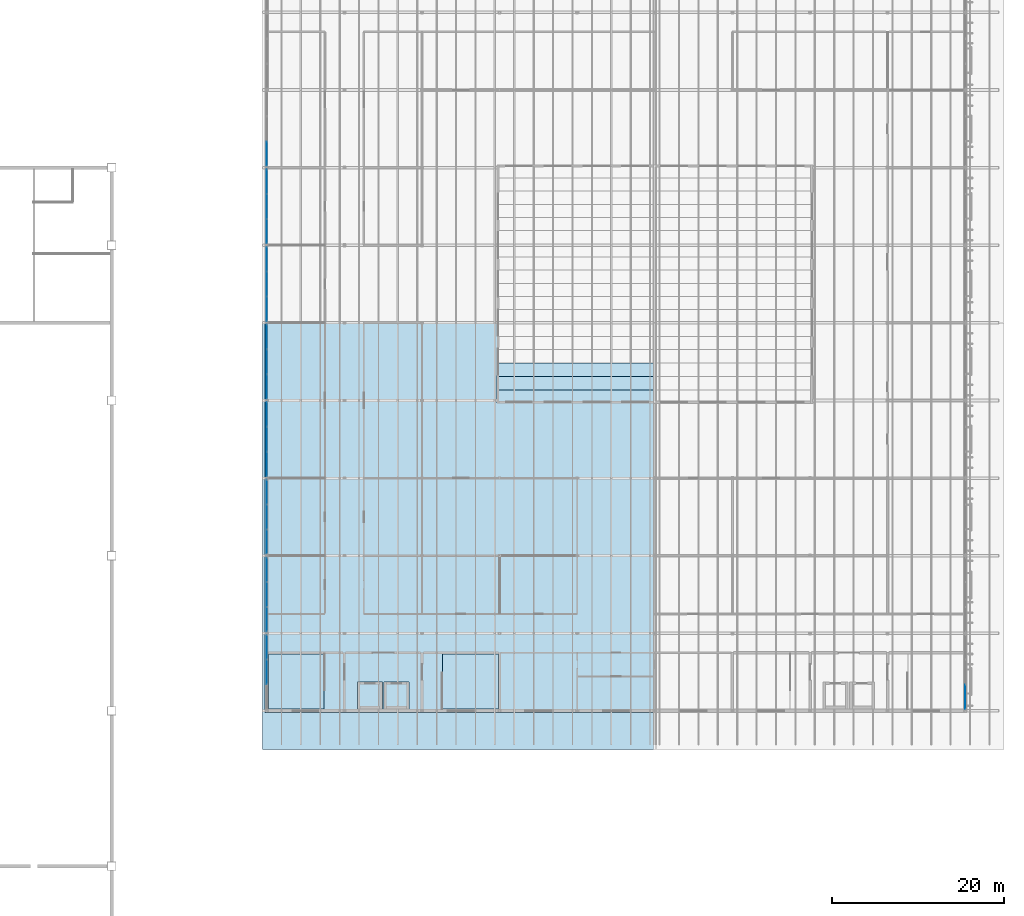
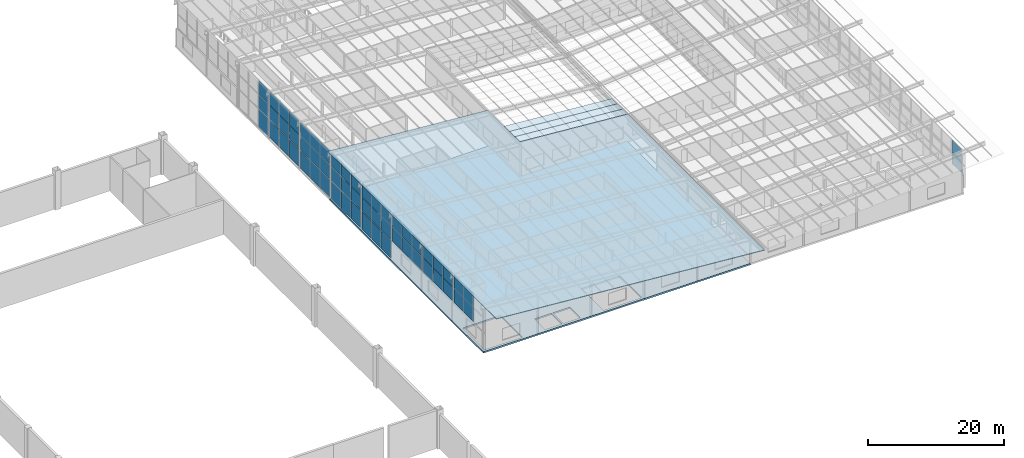
# One storey, part 66 of 85: 57 plates, 5 slabs, 14 elements without a shape of their own.
"""IFC4 building model written with IfcOpenShell, lengths in metres."""

import ifcopenshell
import ifcopenshell.guid

model = None  # the IFC model being written
_history = None  # IfcOwnerHistory: only IFC2X3 demands one
_inside = {}  # id of a spatial element -> (the spatial element, [elements in it])
_under = {}  # id of a project, library or spatial element -> (it, [spatial elements below it])
_declared = {}  # id of a project -> (the project, [libraries it declares])
_typed = {}  # id of a type object -> (the type object, [elements of that type])
_made_of = {}  # id of a material, layer set ... -> (it, [elements and type objects made of it])


def new_model(schema):
    """Start an empty IFC model of exactly this schema.

    Asked for "IFC4X3", IfcOpenShell would pick the latest addendum, in which some entities
    have other attributes; the version numbers below select the first issue.
    IFC2X3 requires an IfcOwnerHistory on every rooted entity: one is made here for all.
    """
    global model, _history
    if schema == "IFC4X3":
        model = ifcopenshell.file(schema_version=(4, 3, 0, 0))
    else:
        model = ifcopenshell.file(schema=schema)
    _inside.clear()
    _under.clear()
    _declared.clear()
    _typed.clear()
    _made_of.clear()
    _history = None
    if model.schema == "IFC2X3":
        org = make("IfcOrganization", Name="unknown")
        user = make(
            "IfcPersonAndOrganization",
            ThePerson=make("IfcPerson", FamilyName="unknown"),
            TheOrganization=org,
        )
        app = make(
            "IfcApplication",
            ApplicationDeveloper=org,
            Version="unknown",
            ApplicationFullName="unknown",
            ApplicationIdentifier="unknown",
        )
        _history = make(
            "IfcOwnerHistory",
            OwningUser=user,
            OwningApplication=app,
            ChangeAction="ADDED",
            CreationDate=0,
        )
    return model


def make(cls, **values):
    """One entity of the class cls with the attributes given. An attribute that is None is left unset."""
    return model.create_entity(
        cls, **{name: value for name, value in values.items() if value is not None}
    )


def rooted(cls, **values):
    """An entity with a GlobalId (a new one), such as an element, a storey or a relation."""
    return make(cls, GlobalId=ifcopenshell.guid.new(), OwnerHistory=_history, **values)


def si_unit(unit_type, name, prefix=None):
    """IfcSIUnit, for example si_unit("LENGTHUNIT", "METRE", prefix="MILLI")."""
    return make("IfcSIUnit", UnitType=unit_type, Prefix=prefix, Name=name)


def assignment(units):
    """IfcUnitAssignment: the units of a project."""
    return None if units is None else make("IfcUnitAssignment", Units=units)


def point(xyz):
    """IfcCartesianPoint."""
    return None if xyz is None else make("IfcCartesianPoint", Coordinates=xyz)


def direction(xyz):
    """IfcDirection."""
    return None if xyz is None else make("IfcDirection", DirectionRatios=xyz)


def frame(location, z_axis=None, x_axis=None):
    """IfcAxis2Placement3D, a coordinate frame: its origin and axes. An axis left out is left unset."""
    return make(
        "IfcAxis2Placement3D",
        Location=point(location),
        Axis=direction(z_axis),
        RefDirection=direction(x_axis),
    )


def frame_2d(location, x_axis=None):
    """IfcAxis2Placement2D, a coordinate frame in the plane: its origin and x axis."""
    return make(
        "IfcAxis2Placement2D", Location=point(location), RefDirection=direction(x_axis)
    )


def origin():
    """The frame at (0, 0, 0) with its axes left unset."""
    return frame((0.0, 0.0, 0.0))


def origin_2d():
    """The frame at (0, 0) in the plane with its x axis left unset."""
    return frame_2d((0.0, 0.0))


def place(relative_to, where):
    """IfcLocalPlacement: puts the frame where relative to a parent placement (None: the world)."""
    return make(
        "IfcLocalPlacement", PlacementRelTo=relative_to, RelativePlacement=where
    )


def context(
    kind, dimensions, precision=None, world=None, true_north=None, identifier=None
):
    """IfcGeometricRepresentationContext, for example the 3D "Model" context."""
    return make(
        "IfcGeometricRepresentationContext",
        ContextIdentifier=identifier,
        ContextType=kind,
        CoordinateSpaceDimension=dimensions,
        Precision=precision,
        WorldCoordinateSystem=world,
        TrueNorth=true_north,
    )


def subcontext(parent, identifier, kind, view, scale=None):
    """IfcGeometricRepresentationSubContext, for example "Body" below "Model"."""
    return make(
        "IfcGeometricRepresentationSubContext",
        ContextIdentifier=identifier,
        ContextType=kind,
        ParentContext=parent,
        TargetScale=scale,
        TargetView=view,
    )


def project(units=None, contexts=None):
    """IfcProject with its units and contexts."""
    return rooted(
        "IfcProject",
        Name="project",
        RepresentationContexts=contexts,
        UnitsInContext=assignment(units),
    )


def spatial(cls, under=None, at=None, **own):
    """A site, building, storey or space (cls), placed at a placement, below another one or the project."""
    s = rooted(cls, ObjectPlacement=at, **own)
    if under is not None:
        _under.setdefault(under.id(), (under, []))[1].append(s)
    return s


def polyline(points):
    """IfcPolyline through the points."""
    return make("IfcPolyline", Points=[point(p) for p in points])


def profile(cls, at=None, kind="AREA", **sizes):
    """A parametric profile (cls). Its sizes go by their IFC names, for example OverallWidth=200.0."""
    return make(cls, ProfileType=kind, Position=at, **sizes)


def rectangle(**sizes):
    """IfcRectangleProfileDef."""
    return profile("IfcRectangleProfileDef", **sizes)


def outline(outer, holes=None, kind="AREA"):
    """IfcArbitraryClosedProfileDef: a profile drawn as a closed curve; with holes, ...WithVoids."""
    if holes is None:
        return make("IfcArbitraryClosedProfileDef", ProfileType=kind, OuterCurve=outer)
    return make(
        "IfcArbitraryProfileDefWithVoids",
        ProfileType=kind,
        OuterCurve=outer,
        InnerCurves=holes,
    )


def extrude(swept, where, along, depth):
    """IfcExtrudedAreaSolid: the profile swept, set in the frame where, extruded along a direction by depth."""
    return make(
        "IfcExtrudedAreaSolid",
        SweptArea=swept,
        Position=where,
        ExtrudedDirection=direction(along),
        Depth=depth,
    )


def shape(context_of_items, identifier, shape_type, items):
    """IfcShapeRepresentation: the items that make up one representation, for example the "Body"."""
    return make(
        "IfcShapeRepresentation",
        ContextOfItems=context_of_items,
        RepresentationIdentifier=identifier,
        RepresentationType=shape_type,
        Items=items,
    )


def material(Name=None, Category=None):
    """IfcMaterial."""
    return make("IfcMaterial", Name=Name, Category=Category)


def layer(
    of_material, thickness, ventilated=None, Name=None, Category=None, Priority=None
):
    """IfcMaterialLayer: one layer of a wall or slab, of a material (None: an air gap)."""
    return make(
        "IfcMaterialLayer",
        Material=of_material,
        LayerThickness=thickness,
        IsVentilated=ventilated,
        Name=Name,
        Category=Category,
        Priority=Priority,
    )


def layer_set(layers, Name=None):
    """IfcMaterialLayerSet."""
    return make("IfcMaterialLayerSet", MaterialLayers=layers, LayerSetName=Name)


def made_of(thing, what):
    """Note that an element or type object is made of a material, layer set ...; save() writes the relation."""
    if what is not None:
        _made_of.setdefault(what.id(), (what, []))[1].append(thing)
    return thing


def type_object(cls, material=None, **own):
    """A type object (cls), such as IfcWallType, which elements share."""
    return made_of(rooted(cls, **own), material)


def element(
    cls,
    number,
    at=None,
    inside=None,
    cuts=None,
    type_object=None,
    material=None,
    context=None,
    identifier="Body",
    shape_type=None,
    held_by="IfcProductDefinitionShape",
    body=None,
    shapes=None,
    **own,
):
    """One element of the class cls, such as IfcWall. Its Tag is "e" and its number.

    at: its placement. inside: the storey or other place that contains it. cuts: it is an
    opening in that element (IfcRelVoidsElement). A single representation is given by context,
    identifier, shape_type and body (its items); several are given by shapes. held_by: the class
    of the entity that holds the representations. save() writes the other relations.
    """
    e = rooted(cls, Tag="e%d" % number, ObjectPlacement=at, **own)
    if body is not None:
        shapes = [shape(context, identifier, shape_type, body)]
    if shapes is not None:
        e.Representation = make(held_by, Representations=shapes)
    if inside is not None:
        _inside.setdefault(inside.id(), (inside, []))[1].append(e)
    if cuts is not None:
        rooted(
            "IfcRelVoidsElement", RelatingBuildingElement=cuts, RelatedOpeningElement=e
        )
    if type_object is not None:
        _typed.setdefault(type_object.id(), (type_object, []))[1].append(e)
    return made_of(e, material)


def aggregate(whole, parts):
    """IfcRelAggregates: a whole, such as a stair, and the parts it consists of."""
    return rooted("IfcRelAggregates", RelatingObject=whole, RelatedObjects=parts)


def save(model, path):
    """Write the relations noted so far, then the file.

    IfcRelAggregates (storeys below a building ...), IfcRelContainedInSpatialStructure (elements
    in a storey), IfcRelDefinesByType, IfcRelAssociatesMaterial and IfcRelDeclares: one each for
    every whole, place, type object, material and project.
    """
    for whole, parts in _under.values():
        aggregate(whole, parts)
    for where, things in _inside.values():
        rooted(
            "IfcRelContainedInSpatialStructure",
            RelatedElements=things,
            RelatingStructure=where,
        )
    for kind, things in _typed.values():
        rooted("IfcRelDefinesByType", RelatedObjects=things, RelatingType=kind)
    for what, things in _made_of.values():
        rooted("IfcRelAssociatesMaterial", RelatedObjects=things, RelatingMaterial=what)
    for by, libraries in _declared.values():
        rooted("IfcRelDeclares", RelatingContext=by, RelatedDefinitions=libraries)
    model.write(path)


model = new_model("IFC4")

# Units and contexts
model_context = context("Model", 3, precision=1e-05, world=origin(), true_north=direction((0.0, 1.0)))
body_context = subcontext(model_context, "Body", "Model", "MODEL_VIEW")
ifc_project = project(units=[si_unit("LENGTHUNIT", "METRE"), si_unit("AREAUNIT", "SQUARE_METRE"), si_unit("VOLUMEUNIT", "CUBIC_METRE"), si_unit("PLANEANGLEUNIT", "RADIAN"), si_unit("MASSUNIT", "GRAM", prefix="KILO")], contexts=[model_context])

# Site, building, storey
site_placement = place(None, origin())
site = spatial("IfcSite", under=ifc_project, at=site_placement, CompositionType="ELEMENT")
building_placement = place(site_placement, origin())
building = spatial("IfcBuilding", under=site, at=building_placement, Name="Opaline Strait Convention Centre", CompositionType="ELEMENT")
storey_placement = place(building_placement, frame((0.0, 0.0, 17.0)))
storey = spatial("IfcBuildingStorey", under=building, at=storey_placement, Name="L03", CompositionType="ELEMENT", Elevation=17.0)

# Curtain wall, plates
ifc_material_1 = material(Name="Aluminium framed double glazing", Category="aluminium")
ifc_layer_1 = layer(ifc_material_1, 0.199951171875)
ifc_layer_set_1 = layer_set([ifc_layer_1], Name="Aluminium framed double glazing")
curtain_wall_type = type_object("IfcCurtainWallType", Name="Curtain wall 3000 module unitised", PredefinedType="NOTDEFINED", material=ifc_layer_set_1)
curtain_wall_1_placement = place(storey_placement, origin())
curtain_wall_1 = element("IfcCurtainWall", 1, at=curtain_wall_1_placement, inside=storey, type_object=curtain_wall_type, Name="Curtain wall W L03 32/P", PredefinedType="NOTDEFINED")
ifc_material_2 = material(Name="Double glazed unit low emissivity", Category="glass")
ifc_layer_2 = layer(ifc_material_2, 0.028076171875)
ifc_layer_set_2 = layer_set([ifc_layer_2], Name="Double glazed unit low emissivity")
plate_type = type_object("IfcPlateType", Name="Curtain wall glass panel 28", PredefinedType="CURTAIN_PANEL", material=ifc_layer_set_2)
plate_1_placement = place(storey_placement, frame((279.0, 118.614990234375, 0.06005859375), z_axis=(0.0, 0.0, 1.0), x_axis=(0.0, 1.0, 0.0)))
plate_1 = element("IfcPlate", 2, at=plate_1_placement, type_object=plate_type, Name="MCWR1 panel 1.1", PredefinedType="CURTAIN_PANEL", context=body_context, shape_type="SweptSolid", body=[
    extrude(rectangle(XDim=2.81005859375, YDim=0.028076171875, at=origin_2d()), origin(), (0.0, 0.0, 1.0), 3.179931640625),
])
plate_2_placement = place(storey_placement, frame((279.0, 121.5, 0.06005859375), z_axis=(0.0, 0.0, 1.0), x_axis=(0.0, 1.0, 0.0)))
plate_2 = element("IfcPlate", 3, at=plate_2_placement, type_object=plate_type, Name="MCWR1 panel 2.1", PredefinedType="CURTAIN_PANEL", context=body_context, shape_type="SweptSolid", body=[
    extrude(rectangle(XDim=2.840087890625, YDim=0.028076171875, at=origin_2d()), origin(), (0.0, 0.0, 1.0), 3.179931640625),
])
plate_3_placement = place(storey_placement, frame((279.0, 124.385009765625, 0.06005859375), z_axis=(0.0, 0.0, 1.0), x_axis=(0.0, 1.0, 0.0)))
plate_3 = element("IfcPlate", 4, at=plate_3_placement, type_object=plate_type, Name="MCWR1 panel 3.1", PredefinedType="CURTAIN_PANEL", context=body_context, shape_type="SweptSolid", body=[
    extrude(rectangle(XDim=2.81005859375, YDim=0.028076171875, at=origin_2d()), origin(), (0.0, 0.0, 1.0), 3.179931640625),
])
aggregate(curtain_wall_1, [plate_1, plate_2, plate_3])

curtain_wall_2_placement = place(storey_placement, origin())
curtain_wall_2 = element("IfcCurtainWall", 5, at=curtain_wall_2_placement, inside=storey, type_object=curtain_wall_type, Name="Curtain wall W L03 32/Q", PredefinedType="NOTDEFINED")
plate_4_placement = place(storey_placement, frame((279.0, 127.614990234375, 0.06005859375), z_axis=(0.0, 0.0, 1.0), x_axis=(0.0, 1.0, 0.0)))
plate_4 = element("IfcPlate", 6, at=plate_4_placement, type_object=plate_type, Name="MCWR1 panel 1.1", PredefinedType="CURTAIN_PANEL", context=body_context, shape_type="SweptSolid", body=[
    extrude(rectangle(XDim=2.81005859375, YDim=0.028076171875, at=origin_2d()), origin(), (0.0, 0.0, 1.0), 3.179931640625),
])
plate_5_placement = place(storey_placement, frame((279.0, 130.5, 0.06005859375), z_axis=(0.0, 0.0, 1.0), x_axis=(0.0, 1.0, 0.0)))
plate_5 = element("IfcPlate", 7, at=plate_5_placement, type_object=plate_type, Name="MCWR1 panel 2.1", PredefinedType="CURTAIN_PANEL", context=body_context, shape_type="SweptSolid", body=[
    extrude(rectangle(XDim=2.840087890625, YDim=0.028076171875, at=origin_2d()), origin(), (0.0, 0.0, 1.0), 3.179931640625),
])
plate_6_placement = place(storey_placement, frame((279.0, 133.385009765625, 0.06005859375), z_axis=(0.0, 0.0, 1.0), x_axis=(0.0, 1.0, 0.0)))
plate_6 = element("IfcPlate", 8, at=plate_6_placement, type_object=plate_type, Name="MCWR1 panel 3.1", PredefinedType="CURTAIN_PANEL", context=body_context, shape_type="SweptSolid", body=[
    extrude(rectangle(XDim=2.81005859375, YDim=0.028076171875, at=origin_2d()), origin(), (0.0, 0.0, 1.0), 3.179931640625),
])
aggregate(curtain_wall_2, [plate_4, plate_5, plate_6])

curtain_wall_3_placement = place(storey_placement, origin())
curtain_wall_3 = element("IfcCurtainWall", 9, at=curtain_wall_3_placement, inside=storey, type_object=curtain_wall_type, Name="Curtain wall W L03 32/R", PredefinedType="NOTDEFINED")
plate_7_placement = place(storey_placement, frame((279.0, 136.614990234375, 0.06005859375), z_axis=(0.0, 0.0, 1.0), x_axis=(0.0, 1.0, 0.0)))
plate_7 = element("IfcPlate", 10, at=plate_7_placement, type_object=plate_type, Name="MCWR1 panel 1.1", PredefinedType="CURTAIN_PANEL", context=body_context, shape_type="SweptSolid", body=[
    extrude(rectangle(XDim=2.81005859375, YDim=0.028076171875, at=origin_2d()), origin(), (0.0, 0.0, 1.0), 3.179931640625),
])
plate_8_placement = place(storey_placement, frame((279.0, 139.5, 0.06005859375), z_axis=(0.0, 0.0, 1.0), x_axis=(0.0, 1.0, 0.0)))
plate_8 = element("IfcPlate", 11, at=plate_8_placement, type_object=plate_type, Name="MCWR1 panel 2.1", PredefinedType="CURTAIN_PANEL", context=body_context, shape_type="SweptSolid", body=[
    extrude(rectangle(XDim=2.840087890625, YDim=0.028076171875, at=origin_2d()), origin(), (0.0, 0.0, 1.0), 3.179931640625),
])
plate_9_placement = place(storey_placement, frame((279.0, 142.385009765625, 0.06005859375), z_axis=(0.0, 0.0, 1.0), x_axis=(0.0, 1.0, 0.0)))
plate_9 = element("IfcPlate", 12, at=plate_9_placement, type_object=plate_type, Name="MCWR1 panel 3.1", PredefinedType="CURTAIN_PANEL", context=body_context, shape_type="SweptSolid", body=[
    extrude(rectangle(XDim=2.81005859375, YDim=0.028076171875, at=origin_2d()), origin(), (0.0, 0.0, 1.0), 3.179931640625),
])
aggregate(curtain_wall_3, [plate_7, plate_8, plate_9])

curtain_wall_4_placement = place(storey_placement, origin())
curtain_wall_4 = element("IfcCurtainWall", 13, at=curtain_wall_4_placement, inside=storey, type_object=curtain_wall_type, Name="Curtain wall W L03 32/S", PredefinedType="NOTDEFINED")
plate_10_placement = place(storey_placement, frame((279.0, 145.614990234375, 0.06005859375), z_axis=(0.0, 0.0, 1.0), x_axis=(0.0, 1.0, 0.0)))
plate_10 = element("IfcPlate", 14, at=plate_10_placement, type_object=plate_type, Name="MCWR1 panel 1.1", PredefinedType="CURTAIN_PANEL", context=body_context, shape_type="SweptSolid", body=[
    extrude(rectangle(XDim=2.81005859375, YDim=0.028076171875, at=origin_2d()), origin(), (0.0, 0.0, 1.0), 3.179931640625),
])
plate_11_placement = place(storey_placement, frame((279.0, 148.5, 0.06005859375), z_axis=(0.0, 0.0, 1.0), x_axis=(0.0, 1.0, 0.0)))
plate_11 = element("IfcPlate", 15, at=plate_11_placement, type_object=plate_type, Name="MCWR1 panel 2.1", PredefinedType="CURTAIN_PANEL", context=body_context, shape_type="SweptSolid", body=[
    extrude(rectangle(XDim=2.840087890625, YDim=0.028076171875, at=origin_2d()), origin(), (0.0, 0.0, 1.0), 3.179931640625),
])
plate_12_placement = place(storey_placement, frame((279.0, 151.385009765625, 0.06005859375), z_axis=(0.0, 0.0, 1.0), x_axis=(0.0, 1.0, 0.0)))
plate_12 = element("IfcPlate", 16, at=plate_12_placement, type_object=plate_type, Name="MCWR1 panel 3.1", PredefinedType="CURTAIN_PANEL", context=body_context, shape_type="SweptSolid", body=[
    extrude(rectangle(XDim=2.81005859375, YDim=0.028076171875, at=origin_2d()), origin(), (0.0, 0.0, 1.0), 3.179931640625),
])
aggregate(curtain_wall_4, [plate_10, plate_11, plate_12])

# Curtain wall, plate
curtain_wall_5_placement = place(storey_placement, origin())
curtain_wall_5 = element("IfcCurtainWall", 17, at=curtain_wall_5_placement, inside=storey, type_object=curtain_wall_type, Name="Curtain wall W L03 32/T", PredefinedType="NOTDEFINED")
plate_13_placement = place(storey_placement, frame((279.0, 154.614990234375, 0.06005859375), z_axis=(0.0, 0.0, 1.0), x_axis=(0.0, 1.0, 0.0)))
plate_13 = element("IfcPlate", 18, at=plate_13_placement, type_object=plate_type, Name="MCWR1 panel 1.1", PredefinedType="CURTAIN_PANEL", context=body_context, shape_type="SweptSolid", body=[
    extrude(rectangle(XDim=2.81005859375, YDim=0.028076171875, at=origin_2d()), origin(), (0.0, 0.0, 1.0), 3.179931640625),
])
aggregate(curtain_wall_5, [plate_13])

# Curtain wall, plates
curtain_wall_6_placement = place(storey_placement, origin())
curtain_wall_6 = element("IfcCurtainWall", 19, at=curtain_wall_6_placement, inside=storey, type_object=curtain_wall_type, Name="Clerestory curtain wall W L03 32/L", PredefinedType="NOTDEFINED")
plate_14_placement = place(storey_placement, frame((279.0, 94.5, 3.35986328125), z_axis=(0.0, 0.0, 1.0), x_axis=(0.0, 1.0, 0.0)))
plate_14 = element("IfcPlate", 20, at=plate_14_placement, type_object=plate_type, Name="MCWR1 panel 2.1", PredefinedType="CURTAIN_PANEL", context=body_context, shape_type="SweptSolid", body=[
    extrude(rectangle(XDim=2.840087890625, YDim=0.028076171875, at=origin_2d()), origin(), (0.0, 0.0, 1.0), 2.482177734375),
])
plate_15_placement = place(storey_placement, frame((279.0, 94.5, 5.90234375), z_axis=(0.0, 0.0, 1.0), x_axis=(0.0, 1.0, 0.0)))
plate_15 = element("IfcPlate", 21, at=plate_15_placement, type_object=plate_type, Name="MCWR1 panel 2.2", PredefinedType="CURTAIN_PANEL", context=body_context, shape_type="SweptSolid", body=[
    extrude(rectangle(XDim=2.840087890625, YDim=0.028076171875, at=origin_2d()), origin(), (0.0, 0.0, 1.0), 2.482177734375),
])
plate_16_placement = place(storey_placement, frame((279.0, 97.385009765625, 3.35986328125), z_axis=(0.0, 0.0, 1.0), x_axis=(0.0, 1.0, 0.0)))
plate_16 = element("IfcPlate", 22, at=plate_16_placement, type_object=plate_type, Name="MCWR1 panel 3.1", PredefinedType="CURTAIN_PANEL", context=body_context, shape_type="SweptSolid", body=[
    extrude(rectangle(XDim=2.81005859375, YDim=0.028076171875, at=origin_2d()), origin(), (0.0, 0.0, 1.0), 2.482177734375),
])
plate_17_placement = place(storey_placement, frame((279.0, 97.385009765625, 5.90234375), z_axis=(0.0, 0.0, 1.0), x_axis=(0.0, 1.0, 0.0)))
plate_17 = element("IfcPlate", 23, at=plate_17_placement, type_object=plate_type, Name="MCWR1 panel 3.2", PredefinedType="CURTAIN_PANEL", context=body_context, shape_type="SweptSolid", body=[
    extrude(rectangle(XDim=2.81005859375, YDim=0.028076171875, at=origin_2d()), origin(), (0.0, 0.0, 1.0), 2.482177734375),
])
aggregate(curtain_wall_6, [plate_14, plate_15, plate_16, plate_17])

curtain_wall_7_placement = place(storey_placement, origin())
curtain_wall_7 = element("IfcCurtainWall", 24, at=curtain_wall_7_placement, inside=storey, type_object=curtain_wall_type, Name="Clerestory curtain wall W L03 32/M", PredefinedType="NOTDEFINED")
plate_18_placement = place(storey_placement, frame((279.0, 100.614990234375, 3.35986328125), z_axis=(0.0, 0.0, 1.0), x_axis=(0.0, 1.0, 0.0)))
plate_18 = element("IfcPlate", 25, at=plate_18_placement, type_object=plate_type, Name="MCWR1 panel 1.1", PredefinedType="CURTAIN_PANEL", context=body_context, shape_type="SweptSolid", body=[
    extrude(rectangle(XDim=2.81005859375, YDim=0.028076171875, at=origin_2d()), origin(), (0.0, 0.0, 1.0), 2.482177734375),
])
plate_19_placement = place(storey_placement, frame((279.0, 100.614990234375, 5.90234375), z_axis=(0.0, 0.0, 1.0), x_axis=(0.0, 1.0, 0.0)))
plate_19 = element("IfcPlate", 26, at=plate_19_placement, type_object=plate_type, Name="MCWR1 panel 1.2", PredefinedType="CURTAIN_PANEL", context=body_context, shape_type="SweptSolid", body=[
    extrude(rectangle(XDim=2.81005859375, YDim=0.028076171875, at=origin_2d()), origin(), (0.0, 0.0, 1.0), 2.482177734375),
])
plate_20_placement = place(storey_placement, frame((279.0, 103.5, 3.35986328125), z_axis=(0.0, 0.0, 1.0), x_axis=(0.0, 1.0, 0.0)))
plate_20 = element("IfcPlate", 27, at=plate_20_placement, type_object=plate_type, Name="MCWR1 panel 2.1", PredefinedType="CURTAIN_PANEL", context=body_context, shape_type="SweptSolid", body=[
    extrude(rectangle(XDim=2.840087890625, YDim=0.028076171875, at=origin_2d()), origin(), (0.0, 0.0, 1.0), 2.482177734375),
])
plate_21_placement = place(storey_placement, frame((279.0, 103.5, 5.90234375), z_axis=(0.0, 0.0, 1.0), x_axis=(0.0, 1.0, 0.0)))
plate_21 = element("IfcPlate", 28, at=plate_21_placement, type_object=plate_type, Name="MCWR1 panel 2.2", PredefinedType="CURTAIN_PANEL", context=body_context, shape_type="SweptSolid", body=[
    extrude(rectangle(XDim=2.840087890625, YDim=0.028076171875, at=origin_2d()), origin(), (0.0, 0.0, 1.0), 2.482177734375),
])
plate_22_placement = place(storey_placement, frame((279.0, 106.385009765625, 3.35986328125), z_axis=(0.0, 0.0, 1.0), x_axis=(0.0, 1.0, 0.0)))
plate_22 = element("IfcPlate", 29, at=plate_22_placement, type_object=plate_type, Name="MCWR1 panel 3.1", PredefinedType="CURTAIN_PANEL", context=body_context, shape_type="SweptSolid", body=[
    extrude(rectangle(XDim=2.81005859375, YDim=0.028076171875, at=origin_2d()), origin(), (0.0, 0.0, 1.0), 2.482177734375),
])
plate_23_placement = place(storey_placement, frame((279.0, 106.385009765625, 5.90234375), z_axis=(0.0, 0.0, 1.0), x_axis=(0.0, 1.0, 0.0)))
plate_23 = element("IfcPlate", 30, at=plate_23_placement, type_object=plate_type, Name="MCWR1 panel 3.2", PredefinedType="CURTAIN_PANEL", context=body_context, shape_type="SweptSolid", body=[
    extrude(rectangle(XDim=2.81005859375, YDim=0.028076171875, at=origin_2d()), origin(), (0.0, 0.0, 1.0), 2.482177734375),
])
aggregate(curtain_wall_7, [plate_18, plate_19, plate_20, plate_21, plate_22, plate_23])

curtain_wall_8_placement = place(storey_placement, origin())
curtain_wall_8 = element("IfcCurtainWall", 31, at=curtain_wall_8_placement, inside=storey, type_object=curtain_wall_type, Name="Clerestory curtain wall W L03 32/N", PredefinedType="NOTDEFINED")
plate_24_placement = place(storey_placement, frame((279.0, 109.614990234375, 3.35986328125), z_axis=(0.0, 0.0, 1.0), x_axis=(0.0, 1.0, 0.0)))
plate_24 = element("IfcPlate", 32, at=plate_24_placement, type_object=plate_type, Name="MCWR1 panel 1.1", PredefinedType="CURTAIN_PANEL", context=body_context, shape_type="SweptSolid", body=[
    extrude(rectangle(XDim=2.81005859375, YDim=0.028076171875, at=origin_2d()), origin(), (0.0, 0.0, 1.0), 2.482177734375),
])
plate_25_placement = place(storey_placement, frame((279.0, 109.614990234375, 5.90234375), z_axis=(0.0, 0.0, 1.0), x_axis=(0.0, 1.0, 0.0)))
plate_25 = element("IfcPlate", 33, at=plate_25_placement, type_object=plate_type, Name="MCWR1 panel 1.2", PredefinedType="CURTAIN_PANEL", context=body_context, shape_type="SweptSolid", body=[
    extrude(rectangle(XDim=2.81005859375, YDim=0.028076171875, at=origin_2d()), origin(), (0.0, 0.0, 1.0), 2.482177734375),
])
plate_26_placement = place(storey_placement, frame((279.0, 112.5, 3.35986328125), z_axis=(0.0, 0.0, 1.0), x_axis=(0.0, 1.0, 0.0)))
plate_26 = element("IfcPlate", 34, at=plate_26_placement, type_object=plate_type, Name="MCWR1 panel 2.1", PredefinedType="CURTAIN_PANEL", context=body_context, shape_type="SweptSolid", body=[
    extrude(rectangle(XDim=2.840087890625, YDim=0.028076171875, at=origin_2d()), origin(), (0.0, 0.0, 1.0), 2.482177734375),
])
plate_27_placement = place(storey_placement, frame((279.0, 112.5, 5.90234375), z_axis=(0.0, 0.0, 1.0), x_axis=(0.0, 1.0, 0.0)))
plate_27 = element("IfcPlate", 35, at=plate_27_placement, type_object=plate_type, Name="MCWR1 panel 2.2", PredefinedType="CURTAIN_PANEL", context=body_context, shape_type="SweptSolid", body=[
    extrude(rectangle(XDim=2.840087890625, YDim=0.028076171875, at=origin_2d()), origin(), (0.0, 0.0, 1.0), 2.482177734375),
])
plate_28_placement = place(storey_placement, frame((279.0, 115.385009765625, 3.35986328125), z_axis=(0.0, 0.0, 1.0), x_axis=(0.0, 1.0, 0.0)))
plate_28 = element("IfcPlate", 36, at=plate_28_placement, type_object=plate_type, Name="MCWR1 panel 3.1", PredefinedType="CURTAIN_PANEL", context=body_context, shape_type="SweptSolid", body=[
    extrude(rectangle(XDim=2.81005859375, YDim=0.028076171875, at=origin_2d()), origin(), (0.0, 0.0, 1.0), 2.482177734375),
])
plate_29_placement = place(storey_placement, frame((279.0, 115.385009765625, 5.90234375), z_axis=(0.0, 0.0, 1.0), x_axis=(0.0, 1.0, 0.0)))
plate_29 = element("IfcPlate", 37, at=plate_29_placement, type_object=plate_type, Name="MCWR1 panel 3.2", PredefinedType="CURTAIN_PANEL", context=body_context, shape_type="SweptSolid", body=[
    extrude(rectangle(XDim=2.81005859375, YDim=0.028076171875, at=origin_2d()), origin(), (0.0, 0.0, 1.0), 2.482177734375),
])
aggregate(curtain_wall_8, [plate_24, plate_25, plate_26, plate_27, plate_28, plate_29])

curtain_wall_9_placement = place(storey_placement, origin())
curtain_wall_9 = element("IfcCurtainWall", 38, at=curtain_wall_9_placement, inside=storey, type_object=curtain_wall_type, Name="Clerestory curtain wall W L03 32/P", PredefinedType="NOTDEFINED")
plate_30_placement = place(storey_placement, frame((279.0, 118.614990234375, 3.35986328125), z_axis=(0.0, 0.0, 1.0), x_axis=(0.0, 1.0, 0.0)))
plate_30 = element("IfcPlate", 39, at=plate_30_placement, type_object=plate_type, Name="MCWR1 panel 1.1", PredefinedType="CURTAIN_PANEL", context=body_context, shape_type="SweptSolid", body=[
    extrude(rectangle(XDim=2.81005859375, YDim=0.028076171875, at=origin_2d()), origin(), (0.0, 0.0, 1.0), 2.482177734375),
])
plate_31_placement = place(storey_placement, frame((279.0, 118.614990234375, 5.90234375), z_axis=(0.0, 0.0, 1.0), x_axis=(0.0, 1.0, 0.0)))
plate_31 = element("IfcPlate", 40, at=plate_31_placement, type_object=plate_type, Name="MCWR1 panel 1.2", PredefinedType="CURTAIN_PANEL", context=body_context, shape_type="SweptSolid", body=[
    extrude(rectangle(XDim=2.81005859375, YDim=0.028076171875, at=origin_2d()), origin(), (0.0, 0.0, 1.0), 2.482177734375),
])
plate_32_placement = place(storey_placement, frame((279.0, 121.5, 3.35986328125), z_axis=(0.0, 0.0, 1.0), x_axis=(0.0, 1.0, 0.0)))
plate_32 = element("IfcPlate", 41, at=plate_32_placement, type_object=plate_type, Name="MCWR1 panel 2.1", PredefinedType="CURTAIN_PANEL", context=body_context, shape_type="SweptSolid", body=[
    extrude(rectangle(XDim=2.840087890625, YDim=0.028076171875, at=origin_2d()), origin(), (0.0, 0.0, 1.0), 2.482177734375),
])
plate_33_placement = place(storey_placement, frame((279.0, 121.5, 5.90234375), z_axis=(0.0, 0.0, 1.0), x_axis=(0.0, 1.0, 0.0)))
plate_33 = element("IfcPlate", 42, at=plate_33_placement, type_object=plate_type, Name="MCWR1 panel 2.2", PredefinedType="CURTAIN_PANEL", context=body_context, shape_type="SweptSolid", body=[
    extrude(rectangle(XDim=2.840087890625, YDim=0.028076171875, at=origin_2d()), origin(), (0.0, 0.0, 1.0), 2.482177734375),
])
plate_34_placement = place(storey_placement, frame((279.0, 124.385009765625, 3.35986328125), z_axis=(0.0, 0.0, 1.0), x_axis=(0.0, 1.0, 0.0)))
plate_34 = element("IfcPlate", 43, at=plate_34_placement, type_object=plate_type, Name="MCWR1 panel 3.1", PredefinedType="CURTAIN_PANEL", context=body_context, shape_type="SweptSolid", body=[
    extrude(rectangle(XDim=2.81005859375, YDim=0.028076171875, at=origin_2d()), origin(), (0.0, 0.0, 1.0), 2.482177734375),
])
plate_35_placement = place(storey_placement, frame((279.0, 124.385009765625, 5.90234375), z_axis=(0.0, 0.0, 1.0), x_axis=(0.0, 1.0, 0.0)))
plate_35 = element("IfcPlate", 44, at=plate_35_placement, type_object=plate_type, Name="MCWR1 panel 3.2", PredefinedType="CURTAIN_PANEL", context=body_context, shape_type="SweptSolid", body=[
    extrude(rectangle(XDim=2.81005859375, YDim=0.028076171875, at=origin_2d()), origin(), (0.0, 0.0, 1.0), 2.482177734375),
])
aggregate(curtain_wall_9, [plate_30, plate_31, plate_32, plate_33, plate_34, plate_35])

curtain_wall_10_placement = place(storey_placement, origin())
curtain_wall_10 = element("IfcCurtainWall", 45, at=curtain_wall_10_placement, inside=storey, type_object=curtain_wall_type, Name="Clerestory curtain wall W L03 32/Q", PredefinedType="NOTDEFINED")
plate_36_placement = place(storey_placement, frame((279.0, 127.614990234375, 3.35986328125), z_axis=(0.0, 0.0, 1.0), x_axis=(0.0, 1.0, 0.0)))
plate_36 = element("IfcPlate", 46, at=plate_36_placement, type_object=plate_type, Name="MCWR1 panel 1.1", PredefinedType="CURTAIN_PANEL", context=body_context, shape_type="SweptSolid", body=[
    extrude(rectangle(XDim=2.81005859375, YDim=0.028076171875, at=origin_2d()), origin(), (0.0, 0.0, 1.0), 2.482177734375),
])
plate_37_placement = place(storey_placement, frame((279.0, 127.614990234375, 5.90234375), z_axis=(0.0, 0.0, 1.0), x_axis=(0.0, 1.0, 0.0)))
plate_37 = element("IfcPlate", 47, at=plate_37_placement, type_object=plate_type, Name="MCWR1 panel 1.2", PredefinedType="CURTAIN_PANEL", context=body_context, shape_type="SweptSolid", body=[
    extrude(rectangle(XDim=2.81005859375, YDim=0.028076171875, at=origin_2d()), origin(), (0.0, 0.0, 1.0), 2.482177734375),
])
plate_38_placement = place(storey_placement, frame((279.0, 130.5, 3.35986328125), z_axis=(0.0, 0.0, 1.0), x_axis=(0.0, 1.0, 0.0)))
plate_38 = element("IfcPlate", 48, at=plate_38_placement, type_object=plate_type, Name="MCWR1 panel 2.1", PredefinedType="CURTAIN_PANEL", context=body_context, shape_type="SweptSolid", body=[
    extrude(rectangle(XDim=2.840087890625, YDim=0.028076171875, at=origin_2d()), origin(), (0.0, 0.0, 1.0), 2.482177734375),
])
plate_39_placement = place(storey_placement, frame((279.0, 130.5, 5.90234375), z_axis=(0.0, 0.0, 1.0), x_axis=(0.0, 1.0, 0.0)))
plate_39 = element("IfcPlate", 49, at=plate_39_placement, type_object=plate_type, Name="MCWR1 panel 2.2", PredefinedType="CURTAIN_PANEL", context=body_context, shape_type="SweptSolid", body=[
    extrude(rectangle(XDim=2.840087890625, YDim=0.028076171875, at=origin_2d()), origin(), (0.0, 0.0, 1.0), 2.482177734375),
])
plate_40_placement = place(storey_placement, frame((279.0, 133.385009765625, 3.35986328125), z_axis=(0.0, 0.0, 1.0), x_axis=(0.0, 1.0, 0.0)))
plate_40 = element("IfcPlate", 50, at=plate_40_placement, type_object=plate_type, Name="MCWR1 panel 3.1", PredefinedType="CURTAIN_PANEL", context=body_context, shape_type="SweptSolid", body=[
    extrude(rectangle(XDim=2.81005859375, YDim=0.028076171875, at=origin_2d()), origin(), (0.0, 0.0, 1.0), 2.482177734375),
])
plate_41_placement = place(storey_placement, frame((279.0, 133.385009765625, 5.90234375), z_axis=(0.0, 0.0, 1.0), x_axis=(0.0, 1.0, 0.0)))
plate_41 = element("IfcPlate", 51, at=plate_41_placement, type_object=plate_type, Name="MCWR1 panel 3.2", PredefinedType="CURTAIN_PANEL", context=body_context, shape_type="SweptSolid", body=[
    extrude(rectangle(XDim=2.81005859375, YDim=0.028076171875, at=origin_2d()), origin(), (0.0, 0.0, 1.0), 2.482177734375),
])
aggregate(curtain_wall_10, [plate_36, plate_37, plate_38, plate_39, plate_40, plate_41])

curtain_wall_11_placement = place(storey_placement, origin())
curtain_wall_11 = element("IfcCurtainWall", 52, at=curtain_wall_11_placement, inside=storey, type_object=curtain_wall_type, Name="Clerestory curtain wall W L03 32/R", PredefinedType="NOTDEFINED")
plate_42_placement = place(storey_placement, frame((279.0, 136.614990234375, 3.35986328125), z_axis=(0.0, 0.0, 1.0), x_axis=(0.0, 1.0, 0.0)))
plate_42 = element("IfcPlate", 53, at=plate_42_placement, type_object=plate_type, Name="MCWR1 panel 1.1", PredefinedType="CURTAIN_PANEL", context=body_context, shape_type="SweptSolid", body=[
    extrude(rectangle(XDim=2.81005859375, YDim=0.028076171875, at=origin_2d()), origin(), (0.0, 0.0, 1.0), 2.482177734375),
])
plate_43_placement = place(storey_placement, frame((279.0, 136.614990234375, 5.90234375), z_axis=(0.0, 0.0, 1.0), x_axis=(0.0, 1.0, 0.0)))
plate_43 = element("IfcPlate", 54, at=plate_43_placement, type_object=plate_type, Name="MCWR1 panel 1.2", PredefinedType="CURTAIN_PANEL", context=body_context, shape_type="SweptSolid", body=[
    extrude(rectangle(XDim=2.81005859375, YDim=0.028076171875, at=origin_2d()), origin(), (0.0, 0.0, 1.0), 2.482177734375),
])
plate_44_placement = place(storey_placement, frame((279.0, 139.5, 3.35986328125), z_axis=(0.0, 0.0, 1.0), x_axis=(0.0, 1.0, 0.0)))
plate_44 = element("IfcPlate", 55, at=plate_44_placement, type_object=plate_type, Name="MCWR1 panel 2.1", PredefinedType="CURTAIN_PANEL", context=body_context, shape_type="SweptSolid", body=[
    extrude(rectangle(XDim=2.840087890625, YDim=0.028076171875, at=origin_2d()), origin(), (0.0, 0.0, 1.0), 2.482177734375),
])
plate_45_placement = place(storey_placement, frame((279.0, 139.5, 5.90234375), z_axis=(0.0, 0.0, 1.0), x_axis=(0.0, 1.0, 0.0)))
plate_45 = element("IfcPlate", 56, at=plate_45_placement, type_object=plate_type, Name="MCWR1 panel 2.2", PredefinedType="CURTAIN_PANEL", context=body_context, shape_type="SweptSolid", body=[
    extrude(rectangle(XDim=2.840087890625, YDim=0.028076171875, at=origin_2d()), origin(), (0.0, 0.0, 1.0), 2.482177734375),
])
plate_46_placement = place(storey_placement, frame((279.0, 142.385009765625, 3.35986328125), z_axis=(0.0, 0.0, 1.0), x_axis=(0.0, 1.0, 0.0)))
plate_46 = element("IfcPlate", 57, at=plate_46_placement, type_object=plate_type, Name="MCWR1 panel 3.1", PredefinedType="CURTAIN_PANEL", context=body_context, shape_type="SweptSolid", body=[
    extrude(rectangle(XDim=2.81005859375, YDim=0.028076171875, at=origin_2d()), origin(), (0.0, 0.0, 1.0), 2.482177734375),
])
plate_47_placement = place(storey_placement, frame((279.0, 142.385009765625, 5.90234375), z_axis=(0.0, 0.0, 1.0), x_axis=(0.0, 1.0, 0.0)))
plate_47 = element("IfcPlate", 58, at=plate_47_placement, type_object=plate_type, Name="MCWR1 panel 3.2", PredefinedType="CURTAIN_PANEL", context=body_context, shape_type="SweptSolid", body=[
    extrude(rectangle(XDim=2.81005859375, YDim=0.028076171875, at=origin_2d()), origin(), (0.0, 0.0, 1.0), 2.482177734375),
])
aggregate(curtain_wall_11, [plate_42, plate_43, plate_44, plate_45, plate_46, plate_47])

curtain_wall_12_placement = place(storey_placement, origin())
curtain_wall_12 = element("IfcCurtainWall", 59, at=curtain_wall_12_placement, inside=storey, type_object=curtain_wall_type, Name="Clerestory curtain wall W L03 32/S", PredefinedType="NOTDEFINED")
plate_48_placement = place(storey_placement, frame((279.0, 145.614990234375, 3.35986328125), z_axis=(0.0, 0.0, 1.0), x_axis=(0.0, 1.0, 0.0)))
plate_48 = element("IfcPlate", 60, at=plate_48_placement, type_object=plate_type, Name="MCWR1 panel 1.1", PredefinedType="CURTAIN_PANEL", context=body_context, shape_type="SweptSolid", body=[
    extrude(rectangle(XDim=2.81005859375, YDim=0.028076171875, at=origin_2d()), origin(), (0.0, 0.0, 1.0), 2.482177734375),
])
plate_49_placement = place(storey_placement, frame((279.0, 145.614990234375, 5.90234375), z_axis=(0.0, 0.0, 1.0), x_axis=(0.0, 1.0, 0.0)))
plate_49 = element("IfcPlate", 61, at=plate_49_placement, type_object=plate_type, Name="MCWR1 panel 1.2", PredefinedType="CURTAIN_PANEL", context=body_context, shape_type="SweptSolid", body=[
    extrude(rectangle(XDim=2.81005859375, YDim=0.028076171875, at=origin_2d()), origin(), (0.0, 0.0, 1.0), 2.482177734375),
])
plate_50_placement = place(storey_placement, frame((279.0, 148.5, 3.35986328125), z_axis=(0.0, 0.0, 1.0), x_axis=(0.0, 1.0, 0.0)))
plate_50 = element("IfcPlate", 62, at=plate_50_placement, type_object=plate_type, Name="MCWR1 panel 2.1", PredefinedType="CURTAIN_PANEL", context=body_context, shape_type="SweptSolid", body=[
    extrude(rectangle(XDim=2.840087890625, YDim=0.028076171875, at=origin_2d()), origin(), (0.0, 0.0, 1.0), 2.482177734375),
])
plate_51_placement = place(storey_placement, frame((279.0, 148.5, 5.90234375), z_axis=(0.0, 0.0, 1.0), x_axis=(0.0, 1.0, 0.0)))
plate_51 = element("IfcPlate", 63, at=plate_51_placement, type_object=plate_type, Name="MCWR1 panel 2.2", PredefinedType="CURTAIN_PANEL", context=body_context, shape_type="SweptSolid", body=[
    extrude(rectangle(XDim=2.840087890625, YDim=0.028076171875, at=origin_2d()), origin(), (0.0, 0.0, 1.0), 2.482177734375),
])
plate_52_placement = place(storey_placement, frame((279.0, 151.385009765625, 3.35986328125), z_axis=(0.0, 0.0, 1.0), x_axis=(0.0, 1.0, 0.0)))
plate_52 = element("IfcPlate", 64, at=plate_52_placement, type_object=plate_type, Name="MCWR1 panel 3.1", PredefinedType="CURTAIN_PANEL", context=body_context, shape_type="SweptSolid", body=[
    extrude(rectangle(XDim=2.81005859375, YDim=0.028076171875, at=origin_2d()), origin(), (0.0, 0.0, 1.0), 2.482177734375),
])
plate_53_placement = place(storey_placement, frame((279.0, 151.385009765625, 5.90234375), z_axis=(0.0, 0.0, 1.0), x_axis=(0.0, 1.0, 0.0)))
plate_53 = element("IfcPlate", 65, at=plate_53_placement, type_object=plate_type, Name="MCWR1 panel 3.2", PredefinedType="CURTAIN_PANEL", context=body_context, shape_type="SweptSolid", body=[
    extrude(rectangle(XDim=2.81005859375, YDim=0.028076171875, at=origin_2d()), origin(), (0.0, 0.0, 1.0), 2.482177734375),
])
aggregate(curtain_wall_12, [plate_48, plate_49, plate_50, plate_51, plate_52, plate_53])

curtain_wall_13_placement = place(storey_placement, origin())
curtain_wall_13 = element("IfcCurtainWall", 66, at=curtain_wall_13_placement, inside=storey, type_object=curtain_wall_type, Name="Clerestory curtain wall W L03 32/T", PredefinedType="NOTDEFINED")
plate_54_placement = place(storey_placement, frame((279.0, 154.614990234375, 3.35986328125), z_axis=(0.0, 0.0, 1.0), x_axis=(0.0, 1.0, 0.0)))
plate_54 = element("IfcPlate", 67, at=plate_54_placement, type_object=plate_type, Name="MCWR1 panel 1.1", PredefinedType="CURTAIN_PANEL", context=body_context, shape_type="SweptSolid", body=[
    extrude(rectangle(XDim=2.81005859375, YDim=0.028076171875, at=origin_2d()), origin(), (0.0, 0.0, 1.0), 2.482177734375),
])
plate_55_placement = place(storey_placement, frame((279.0, 154.614990234375, 5.90234375), z_axis=(0.0, 0.0, 1.0), x_axis=(0.0, 1.0, 0.0)))
plate_55 = element("IfcPlate", 68, at=plate_55_placement, type_object=plate_type, Name="MCWR1 panel 1.2", PredefinedType="CURTAIN_PANEL", context=body_context, shape_type="SweptSolid", body=[
    extrude(rectangle(XDim=2.81005859375, YDim=0.028076171875, at=origin_2d()), origin(), (0.0, 0.0, 1.0), 2.482177734375),
])
aggregate(curtain_wall_13, [plate_54, plate_55])

curtain_wall_14_placement = place(storey_placement, origin())
curtain_wall_14 = element("IfcCurtainWall", 69, at=curtain_wall_14_placement, inside=storey, type_object=curtain_wall_type, Name="Clerestory curtain wall E L03 41/L", PredefinedType="NOTDEFINED")
plate_56_placement = place(storey_placement, frame((360.0, 91.614990234375, 3.360107421875), z_axis=(0.0, 0.0, 1.0), x_axis=(0.0, 1.0, 0.0)))
plate_56 = element("IfcPlate", 70, at=plate_56_placement, type_object=plate_type, Name="MCWR1 panel 1.1", PredefinedType="CURTAIN_PANEL", context=body_context, shape_type="SweptSolid", body=[
    extrude(rectangle(XDim=2.81005859375, YDim=0.028076171875, at=origin_2d()), origin(), (0.0, 0.0, 1.0), 2.1279296875),
])
plate_57_placement = place(storey_placement, frame((360.0, 91.614990234375, 5.5478515625), z_axis=(0.0, 0.0, 1.0), x_axis=(0.0, 1.0, 0.0)))
plate_57 = element("IfcPlate", 71, at=plate_57_placement, type_object=plate_type, Name="MCWR1 panel 1.2", PredefinedType="CURTAIN_PANEL", context=body_context, shape_type="SweptSolid", body=[
    extrude(rectangle(XDim=2.81005859375, YDim=0.028076171875, at=origin_2d()), origin(), (0.0, 0.0, 1.0), 2.128173828125),
])
aggregate(curtain_wall_14, [plate_56, plate_57])

# Slabs
ifc_material_3 = material(Name="Concrete C35", Category="concrete")
ifc_layer_3 = layer(ifc_material_3, 0.280029296875)
ifc_layer_set_3 = layer_set([ifc_layer_3], Name="Concrete C35")
slab_type_1 = type_object("IfcSlabType", Name="RC floor slab 280 C35", PredefinedType="FLOOR", material=ifc_layer_set_3)
slab_1_placement = place(storey_placement, frame((0.0, 0.0, -0.280029296875)))
element("IfcSlab", 72, at=slab_1_placement, inside=storey, type_object=slab_type_1, Name="XS2 L03 slab pour SW", PredefinedType="FLOOR", context=body_context, shape_type="SweptSolid", body=[
    extrude(outline(polyline([(278.800048828125, 89.800048828125), (278.800048828125, 135.0), (306.0, 135.0), (306.0, 126.0), (324.0, 126.0), (324.0, 89.800048828125), (278.800048828125, 89.800048828125)]), holes=[polyline([(289.5, 93.35009765625), (289.5, 90.25), (292.39990234375, 90.25), (292.39990234375, 93.35009765625), (289.5, 93.35009765625)]), polyline([(292.60009765625, 93.35009765625), (292.60009765625, 90.25), (295.5, 90.25), (295.5, 93.35009765625), (292.60009765625, 93.35009765625)]), polyline([(299.3505859375, 96.599853515625), (299.3505859375, 90.199951171875), (305.849853515625, 90.199951171875), (305.849853515625, 96.599853515625), (299.3505859375, 96.599853515625)]), polyline([(279.2001953125, 96.60009765625), (279.2001953125, 90.2001953125), (285.6494140625, 90.2001953125), (285.6494140625, 96.60009765625), (279.2001953125, 96.60009765625)])]), origin(), (0.0, 0.0, 1.0), 0.280029296875),
])
ifc_material_4 = material(Name="Steel Q235-B", Category="steel")
ifc_layer_4 = layer(ifc_material_4, 0.0009765625)
ifc_material_5 = material(Name="Mineral wool insulation")
ifc_layer_5 = layer(ifc_material_5, 0.117919921875)
ifc_layer_6 = layer(ifc_material_4, 0.0009765625)
ifc_layer_set_4 = layer_set([ifc_layer_4, ifc_layer_5, ifc_layer_6], Name="Steel Q235-B, Mineral wool insulation, Steel Q235-B")
slab_type_2 = type_object("IfcSlabType", Name="Roof deck panel 120 steel Q235B", PredefinedType="ROOF", material=ifc_layer_set_4)
slab_2_placement = place(storey_placement, frame((278.52001953125, 85.52001953125, 8.6025390625), z_axis=(0.078460765821, -1.481355e-06, 0.996917202291), x_axis=(1.16228e-07, 0.999999999999, 1.476788e-06)))
element("IfcSlab", 73, at=slab_2_placement, inside=storey, type_object=slab_type_2, Name="MRD1 roof deck W wing 1", PredefinedType="ROOF", context=body_context, shape_type="SweptSolid", body=[
    extrude(outline(polyline([(0.0, 0.0), (49.45996093744573, 0.0), (49.45996093762188, -27.218910831894643), (40.13500976575711, -27.218910831894643), (40.13500976554003, -45.60054034638344), (-4.0925568146620874e-11, -45.60054034638344), (0.0, 0.0)])), origin(), (0.0, 0.0, -1.0), 0.1201171875),
])
ifc_layer_7 = layer(ifc_material_2, 0.0400390625)
ifc_layer_set_5 = layer_set([ifc_layer_7], Name="Double glazed unit low emissivity")
slab_type_3 = type_object("IfcSlabType", Name="Skylight glazing unit 40 laminated", PredefinedType="ROOF", material=ifc_layer_set_5)
slab_3_placement = place(storey_placement, frame((305.695068359375, 125.695068359375, 6.383544921875), z_axis=(0.078454275995, 0.0, 0.996917713043), x_axis=(0.996917713043, 0.0, -0.078454275995)))
element("IfcSlab", 74, at=slab_3_placement, inside=storey, type_object=slab_type_3, Name="MRG1 valley skylight W strip 1", PredefinedType="ROOF", context=body_context, shape_type="SweptSolid", body=[
    extrude(outline(polyline([(0.0, 0.0), (18.34144570826185, 0.0), (18.34144570826185, 1.5332031250000004), (0.0, 1.5332031250000004), (0.0, 0.0)])), origin(), (0.0, 0.0, -1.0), 0.0400390625),
])
for number, where, z_axis, x_axis, name in (
    (75, (305.695068359375, 127.230224609375, 6.383544921875), (0.078454275995, 0.0, 0.996917713043), (0.996917713043, 0.0, -0.078454275995), "MRG1 valley skylight W strip 2"),
    (76, (305.695068359375, 128.784423828125, 6.383544921875), (0.078454275995, 0.0, 0.996917713043), (0.996917713043, 0.0, -0.078454275995), "MRG1 valley skylight W strip 3"),
):
    element("IfcSlab", number, at=place(storey_placement, frame(where, z_axis=z_axis, x_axis=x_axis)), inside=storey, type_object=slab_type_3, Name=name, PredefinedType="ROOF", context=body_context, shape_type="SweptSolid", body=[
        extrude(outline(polyline([(0.0, 0.0), (18.34144570826185, 0.0), (18.34144570826185, 1.5520019531250004), (0.0, 1.5520019531250004), (0.0, 0.0)])), origin(), (0.0, 0.0, -1.0), 0.0400390625),
    ])

save(model, "model.ifc")
